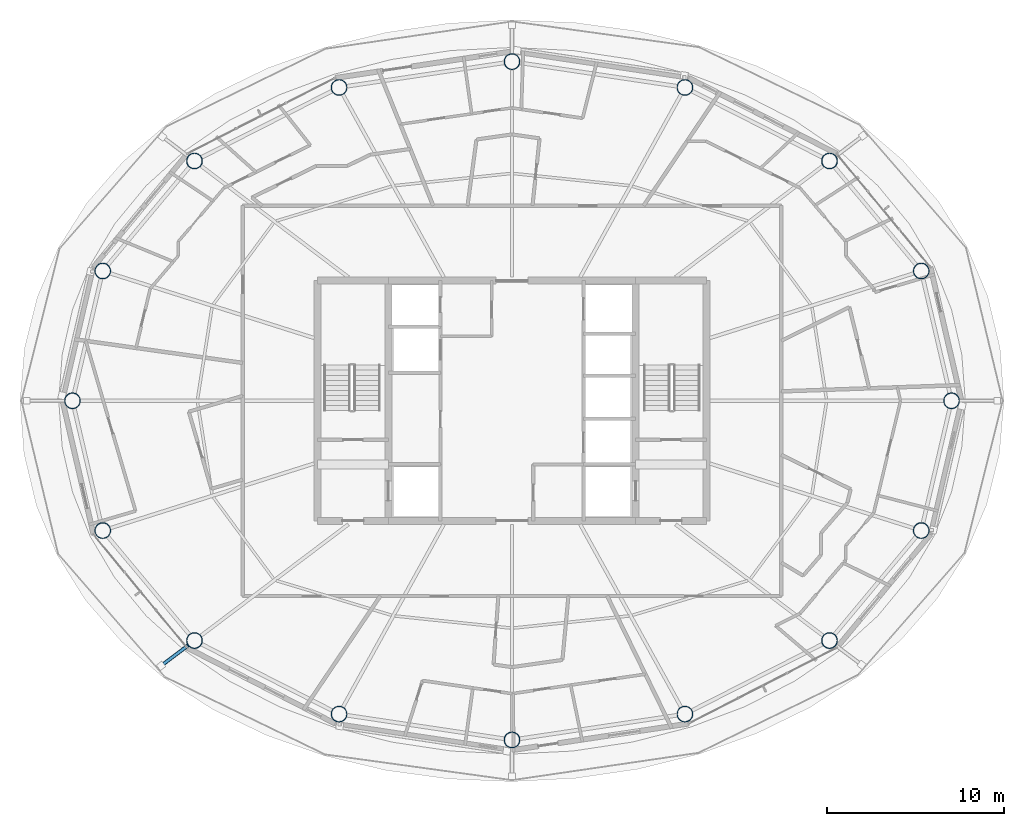
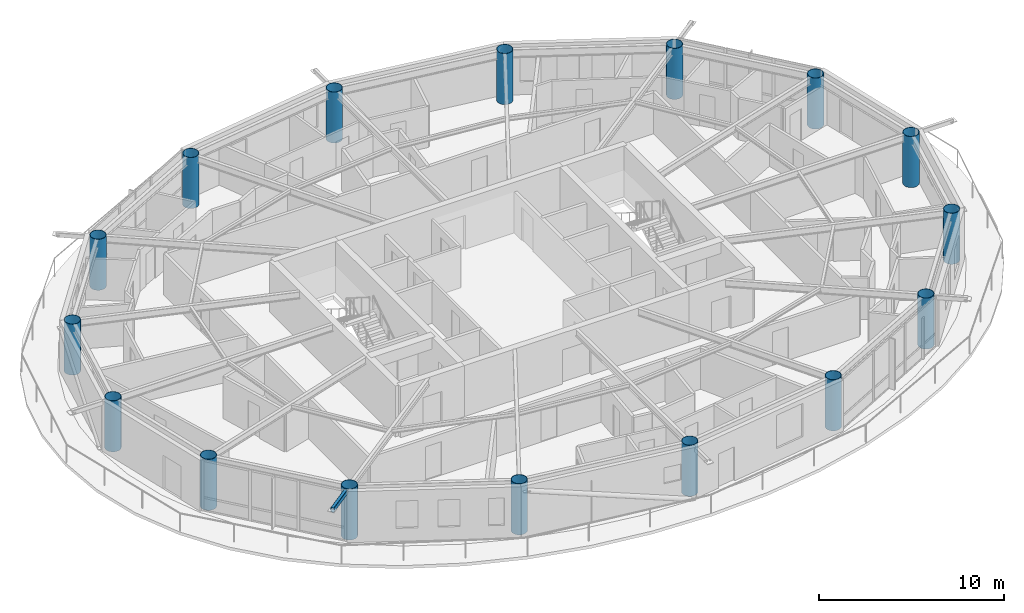
# One storey, part 1 of 23: 16 columns, 1 member.
"""IFC4 building model written with IfcOpenShell, lengths in metres."""

import ifcopenshell
import ifcopenshell.guid

model = None  # the IFC model being written
_history = None  # IfcOwnerHistory: only IFC2X3 demands one
_inside = {}  # id of a spatial element -> (the spatial element, [elements in it])
_under = {}  # id of a project, library or spatial element -> (it, [spatial elements below it])
_declared = {}  # id of a project -> (the project, [libraries it declares])
_typed = {}  # id of a type object -> (the type object, [elements of that type])
_made_of = {}  # id of a material, layer set ... -> (it, [elements and type objects made of it])


def new_model(schema):
    """Start an empty IFC model of exactly this schema.

    Asked for "IFC4X3", IfcOpenShell would pick the latest addendum, in which some entities
    have other attributes; the version numbers below select the first issue.
    IFC2X3 requires an IfcOwnerHistory on every rooted entity: one is made here for all.
    """
    global model, _history
    if schema == "IFC4X3":
        model = ifcopenshell.file(schema_version=(4, 3, 0, 0))
    else:
        model = ifcopenshell.file(schema=schema)
    _inside.clear()
    _under.clear()
    _declared.clear()
    _typed.clear()
    _made_of.clear()
    _history = None
    if model.schema == "IFC2X3":
        org = make("IfcOrganization", Name="unknown")
        user = make(
            "IfcPersonAndOrganization",
            ThePerson=make("IfcPerson", FamilyName="unknown"),
            TheOrganization=org,
        )
        app = make(
            "IfcApplication",
            ApplicationDeveloper=org,
            Version="unknown",
            ApplicationFullName="unknown",
            ApplicationIdentifier="unknown",
        )
        _history = make(
            "IfcOwnerHistory",
            OwningUser=user,
            OwningApplication=app,
            ChangeAction="ADDED",
            CreationDate=0,
        )
    return model


def make(cls, **values):
    """One entity of the class cls with the attributes given. An attribute that is None is left unset."""
    return model.create_entity(
        cls, **{name: value for name, value in values.items() if value is not None}
    )


def rooted(cls, **values):
    """An entity with a GlobalId (a new one), such as an element, a storey or a relation."""
    return make(cls, GlobalId=ifcopenshell.guid.new(), OwnerHistory=_history, **values)


def si_unit(unit_type, name, prefix=None):
    """IfcSIUnit, for example si_unit("LENGTHUNIT", "METRE", prefix="MILLI")."""
    return make("IfcSIUnit", UnitType=unit_type, Prefix=prefix, Name=name)


def assignment(units):
    """IfcUnitAssignment: the units of a project."""
    return None if units is None else make("IfcUnitAssignment", Units=units)


def point(xyz):
    """IfcCartesianPoint."""
    return None if xyz is None else make("IfcCartesianPoint", Coordinates=xyz)


def direction(xyz):
    """IfcDirection."""
    return None if xyz is None else make("IfcDirection", DirectionRatios=xyz)


def frame(location, z_axis=None, x_axis=None):
    """IfcAxis2Placement3D, a coordinate frame: its origin and axes. An axis left out is left unset."""
    return make(
        "IfcAxis2Placement3D",
        Location=point(location),
        Axis=direction(z_axis),
        RefDirection=direction(x_axis),
    )


def frame_2d(location, x_axis=None):
    """IfcAxis2Placement2D, a coordinate frame in the plane: its origin and x axis."""
    return make(
        "IfcAxis2Placement2D", Location=point(location), RefDirection=direction(x_axis)
    )


def origin():
    """The frame at (0, 0, 0) with its axes left unset."""
    return frame((0.0, 0.0, 0.0))


def origin_2d():
    """The frame at (0, 0) in the plane with its x axis left unset."""
    return frame_2d((0.0, 0.0))


def place(relative_to, where):
    """IfcLocalPlacement: puts the frame where relative to a parent placement (None: the world)."""
    return make(
        "IfcLocalPlacement", PlacementRelTo=relative_to, RelativePlacement=where
    )


def context(
    kind, dimensions, precision=None, world=None, true_north=None, identifier=None
):
    """IfcGeometricRepresentationContext, for example the 3D "Model" context."""
    return make(
        "IfcGeometricRepresentationContext",
        ContextIdentifier=identifier,
        ContextType=kind,
        CoordinateSpaceDimension=dimensions,
        Precision=precision,
        WorldCoordinateSystem=world,
        TrueNorth=true_north,
    )


def subcontext(parent, identifier, kind, view, scale=None):
    """IfcGeometricRepresentationSubContext, for example "Body" below "Model"."""
    return make(
        "IfcGeometricRepresentationSubContext",
        ContextIdentifier=identifier,
        ContextType=kind,
        ParentContext=parent,
        TargetScale=scale,
        TargetView=view,
    )


def project(units=None, contexts=None):
    """IfcProject with its units and contexts."""
    return rooted(
        "IfcProject",
        Name="project",
        RepresentationContexts=contexts,
        UnitsInContext=assignment(units),
    )


def spatial(cls, under=None, at=None, **own):
    """A site, building, storey or space (cls), placed at a placement, below another one or the project."""
    s = rooted(cls, ObjectPlacement=at, **own)
    if under is not None:
        _under.setdefault(under.id(), (under, []))[1].append(s)
    return s


def profile(cls, at=None, kind="AREA", **sizes):
    """A parametric profile (cls). Its sizes go by their IFC names, for example OverallWidth=200.0."""
    return make(cls, ProfileType=kind, Position=at, **sizes)


def hollow_rectangle(**sizes):
    """IfcRectangleHollowProfileDef."""
    return profile("IfcRectangleHollowProfileDef", **sizes)


def hollow_circle(**sizes):
    """IfcCircleHollowProfileDef."""
    return profile("IfcCircleHollowProfileDef", **sizes)


def extrude(swept, where, along, depth):
    """IfcExtrudedAreaSolid: the profile swept, set in the frame where, extruded along a direction by depth."""
    return make(
        "IfcExtrudedAreaSolid",
        SweptArea=swept,
        Position=where,
        ExtrudedDirection=direction(along),
        Depth=depth,
    )


def shape(context_of_items, identifier, shape_type, items):
    """IfcShapeRepresentation: the items that make up one representation, for example the "Body"."""
    return make(
        "IfcShapeRepresentation",
        ContextOfItems=context_of_items,
        RepresentationIdentifier=identifier,
        RepresentationType=shape_type,
        Items=items,
    )


def material(Name=None, Category=None):
    """IfcMaterial."""
    return make("IfcMaterial", Name=Name, Category=Category)


def material_profile(
    of_material, cross_section, Name=None, Category=None, Priority=None
):
    """IfcMaterialProfile: a cross section and its material."""
    return make(
        "IfcMaterialProfile",
        Name=Name,
        Material=of_material,
        Profile=cross_section,
        Priority=Priority,
        Category=Category,
    )


def profile_set(profiles, Name=None, composite=None):
    """IfcMaterialProfileSet."""
    return make(
        "IfcMaterialProfileSet",
        Name=Name,
        MaterialProfiles=profiles,
        CompositeProfile=composite,
    )


def made_of(thing, what):
    """Note that an element or type object is made of a material, layer set ...; save() writes the relation."""
    if what is not None:
        _made_of.setdefault(what.id(), (what, []))[1].append(thing)
    return thing


def type_object(cls, material=None, **own):
    """A type object (cls), such as IfcWallType, which elements share."""
    return made_of(rooted(cls, **own), material)


def element(
    cls,
    number,
    at=None,
    inside=None,
    cuts=None,
    type_object=None,
    material=None,
    context=None,
    identifier="Body",
    shape_type=None,
    held_by="IfcProductDefinitionShape",
    body=None,
    shapes=None,
    **own,
):
    """One element of the class cls, such as IfcWall. Its Tag is "e" and its number.

    at: its placement. inside: the storey or other place that contains it. cuts: it is an
    opening in that element (IfcRelVoidsElement). A single representation is given by context,
    identifier, shape_type and body (its items); several are given by shapes. held_by: the class
    of the entity that holds the representations. save() writes the other relations.
    """
    e = rooted(cls, Tag="e%d" % number, ObjectPlacement=at, **own)
    if body is not None:
        shapes = [shape(context, identifier, shape_type, body)]
    if shapes is not None:
        e.Representation = make(held_by, Representations=shapes)
    if inside is not None:
        _inside.setdefault(inside.id(), (inside, []))[1].append(e)
    if cuts is not None:
        rooted(
            "IfcRelVoidsElement", RelatingBuildingElement=cuts, RelatedOpeningElement=e
        )
    if type_object is not None:
        _typed.setdefault(type_object.id(), (type_object, []))[1].append(e)
    return made_of(e, material)


def aggregate(whole, parts):
    """IfcRelAggregates: a whole, such as a stair, and the parts it consists of."""
    return rooted("IfcRelAggregates", RelatingObject=whole, RelatedObjects=parts)


def save(model, path):
    """Write the relations noted so far, then the file.

    IfcRelAggregates (storeys below a building ...), IfcRelContainedInSpatialStructure (elements
    in a storey), IfcRelDefinesByType, IfcRelAssociatesMaterial and IfcRelDeclares: one each for
    every whole, place, type object, material and project.
    """
    for whole, parts in _under.values():
        aggregate(whole, parts)
    for where, things in _inside.values():
        rooted(
            "IfcRelContainedInSpatialStructure",
            RelatedElements=things,
            RelatingStructure=where,
        )
    for kind, things in _typed.values():
        rooted("IfcRelDefinesByType", RelatedObjects=things, RelatingType=kind)
    for what, things in _made_of.values():
        rooted("IfcRelAssociatesMaterial", RelatedObjects=things, RelatingMaterial=what)
    for by, libraries in _declared.values():
        rooted("IfcRelDeclares", RelatingContext=by, RelatedDefinitions=libraries)
    model.write(path)


model = new_model("IFC4")

# Units and contexts
model_context = context("Model", 3, precision=1e-05, world=origin(), true_north=direction((0.0, 1.0)))
body_context = subcontext(model_context, "Body", "Model", "MODEL_VIEW")
ifc_project = project(units=[si_unit("LENGTHUNIT", "METRE"), si_unit("AREAUNIT", "SQUARE_METRE"), si_unit("VOLUMEUNIT", "CUBIC_METRE"), si_unit("PLANEANGLEUNIT", "RADIAN"), si_unit("MASSUNIT", "GRAM", prefix="KILO")], contexts=[model_context])

# Site, building, storey
site_placement = place(None, origin())
site = spatial("IfcSite", under=ifc_project, at=site_placement, CompositionType="ELEMENT")
building_placement = place(site_placement, origin())
building = spatial("IfcBuilding", under=site, at=building_placement, Name="Sarneth Arch Tower", CompositionType="ELEMENT")
storey_placement = place(building_placement, frame((0.0, 0.0, 231.60009765625)))
storey = spatial("IfcBuildingStorey", under=building, at=storey_placement, Name="L59", CompositionType="ELEMENT", Elevation=231.60009765625)

# Columns
ifc_material_1 = material(Name="Steel S355", Category="steel")
ifc_material_profile_1 = material_profile(ifc_material_1, hollow_circle(Radius=0.449951171875, WallThickness=0.02490234375, at=origin_2d()), Name="CHS900x25")
ifc_profile_set_1 = profile_set([ifc_material_profile_1], Name="Steel S355")
column_type = type_object("IfcColumnType", Name="COL-MEGA-900", PredefinedType="COLUMN", material=ifc_profile_set_1)
for number, where, z_axis, x_axis, name in (
    (1, (72.88330078125, 42.0, 0.0), (0.0, 0.0, 1.0), (1.0, 0.0, 0.0), "L59 Perimeter mega-column M01"),
    (2, (71.1689453125, 49.347412109375, 0.0), (0.0, 0.0, 1.0), (1.0, 0.0, 0.0), "L59 Perimeter mega-column M02"),
    (3, (65.975341796875, 55.576416015625, 0.0), (0.0, 0.0, 1.0), (1.0, 0.0, 0.0), "L59 Perimeter mega-column M03"),
    (4, (57.790771484375, 59.738525390625, 0.0), (0.0, 0.0, 1.0), (1.0, 0.0, 0.0), "L59 Perimeter mega-column M04"),
    (5, (48.0, 61.199951171875, 0.0), (0.0, 0.0, 1.0), (1.0, 0.0, 0.0), "L59 Perimeter mega-column M05"),
    (6, (38.209228515625, 59.738525390625, 0.0), (0.0, 0.0, 1.0), (1.0, 0.0, 0.0), "L59 Perimeter mega-column M06"),
    (7, (30.024658203125, 55.576416015625, 0.0), (0.0, 0.0, 1.0), (1.0, 0.0, 0.0), "L59 Perimeter mega-column M07"),
    (8, (24.8310546875, 49.347412109375, 0.0), (0.0, 0.0, 1.0), (1.0, 0.0, 0.0), "L59 Perimeter mega-column M08"),
    (9, (23.11669921875, 42.0, 0.0), (0.0, 0.0, 1.0), (1.0, 0.0, 0.0), "L59 Perimeter mega-column M09"),
    (10, (24.8310546875, 34.652587890625, 0.0), (0.0, 0.0, 1.0), (1.0, 0.0, 0.0), "L59 Perimeter mega-column M10"),
    (11, (30.024658203125, 28.423583984375, 0.0), (0.0, 0.0, 1.0), (1.0, 0.0, 0.0), "L59 Perimeter mega-column M11"),
    (12, (38.209228515625, 24.261474609375, 0.0), (0.0, 0.0, 1.0), (1.0, 0.0, 0.0), "L59 Perimeter mega-column M12"),
    (13, (48.0, 22.800048828125, 0.0), (0.0, 0.0, 1.0), (1.0, 0.0, 0.0), "L59 Perimeter mega-column M13"),
    (14, (57.790771484375, 24.261474609375, 0.0), (0.0, 0.0, 1.0), (1.0, 0.0, 0.0), "L59 Perimeter mega-column M14"),
    (15, (65.975341796875, 28.423583984375, 0.0), (0.0, 0.0, 1.0), (1.0, 0.0, 0.0), "L59 Perimeter mega-column M15"),
    (16, (71.1689453125, 34.652587890625, 0.0), (0.0, 0.0, 1.0), (1.0, 0.0, 0.0), "L59 Perimeter mega-column M16"),
):
    element("IfcColumn", number, at=place(storey_placement, frame(where, z_axis=z_axis, x_axis=x_axis)), inside=storey, type_object=column_type, Name=name, PredefinedType="COLUMN", context=body_context, shape_type="SweptSolid", body=[
        extrude(hollow_circle(Radius=0.449951171875, WallThickness=0.02490234375, at=origin_2d()), origin(), (0.0, 0.0, 1.0), 3.35986328125),
    ])

# Member
ifc_material_2 = material(Name="Steel S355", Category="steel")
ifc_material_profile_2 = material_profile(ifc_material_2, hollow_rectangle(XDim=0.199951171875, YDim=0.300048828125, WallThickness=0.012451171875, InnerFilletRadius=0.018798828125, OuterFilletRadius=0.03125, at=origin_2d()), Name="RHS300x200x12.5")
ifc_profile_set_2 = profile_set([ifc_material_profile_2], Name="Steel S355")
member_type = type_object("IfcMemberType", Name="MEM-CANT-STRUT", PredefinedType="STRUT", material=ifc_profile_set_2)
member_placement = place(storey_placement, frame((29.665771484375, 28.15234375, 3.199951171875), z_axis=(-0.797969091344, -0.602698373367, 0.0), x_axis=(0.602698373367, -0.797969091344, 0.0)))
element("IfcMember", 17, at=member_placement, inside=storey, type_object=member_type, Name="L59 Balcony cantilever bracket 11", PredefinedType="STRUT", context=body_context, shape_type="SweptSolid", body=[
    extrude(hollow_rectangle(XDim=0.199951171875, YDim=0.300048828125, WallThickness=0.012451171875, InnerFilletRadius=0.018798828125, OuterFilletRadius=0.03125, at=origin_2d()), origin(), (0.0, 0.0, 1.0), 1.9228515625),
])

save(model, "model.ifc")
